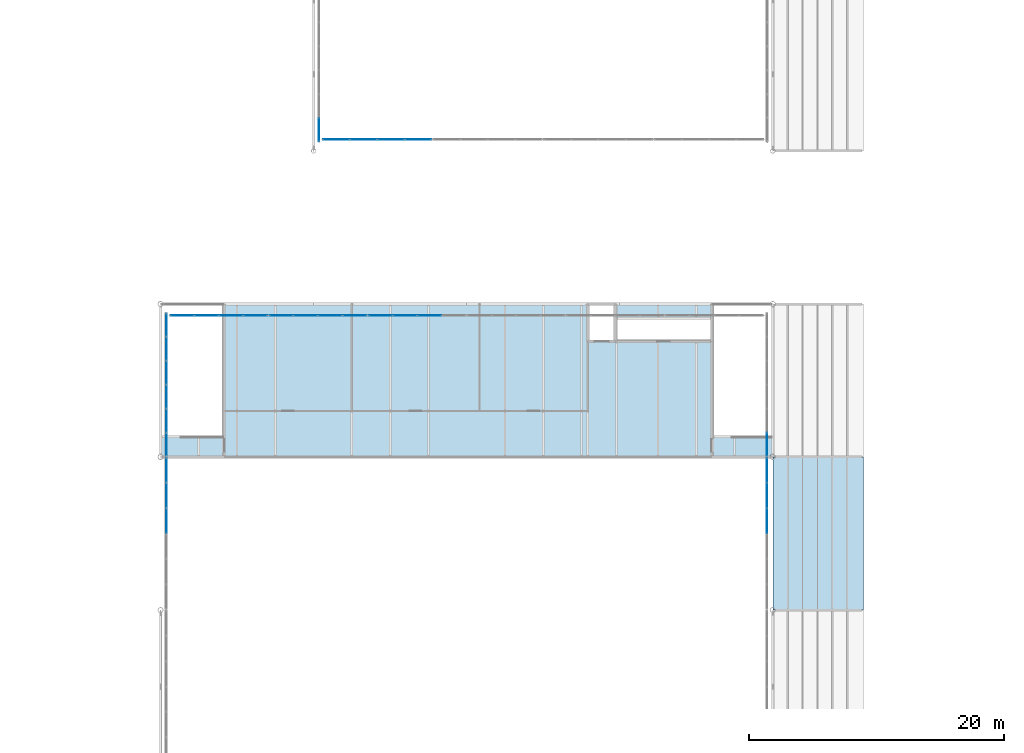
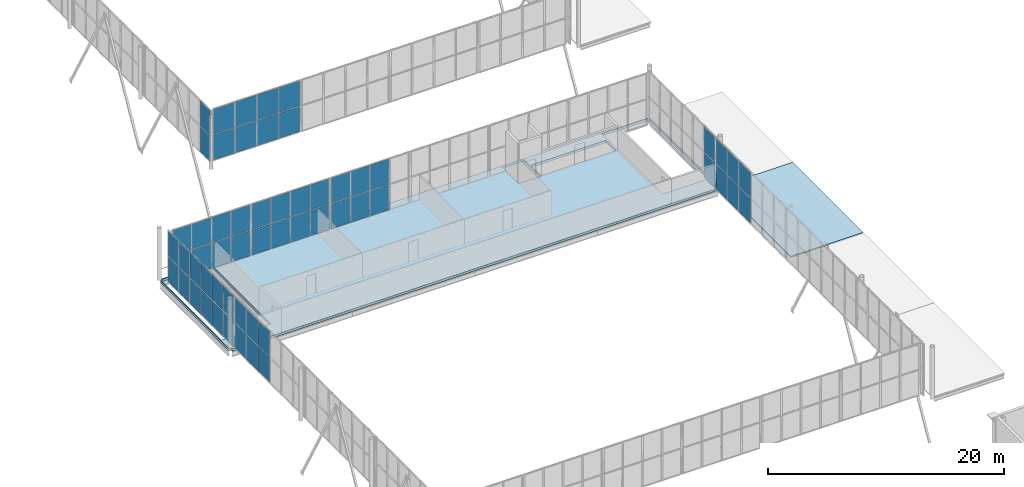
# One storey, part 93 of 170: 58 plates, 2 slabs, 9 elements without a shape of their own.
"""IFC4 building model written with IfcOpenShell, lengths in metres."""

from ifc_helpers import new_model, si_unit, direction, frame, origin, origin_2d, place, context, subcontext, project, spatial, polyline, rectangle, outline, extrude, material, layer, layer_set, type_object, element, aggregate, save


model = new_model("IFC4")

# Units and contexts
model_context = context("Model", 3, precision=1e-05, world=origin(), true_north=direction((0.0, 1.0)))
body_context = subcontext(model_context, "Body", "Model", "MODEL_VIEW")
ifc_project = project(units=[si_unit("LENGTHUNIT", "METRE"), si_unit("AREAUNIT", "SQUARE_METRE"), si_unit("VOLUMEUNIT", "CUBIC_METRE"), si_unit("PLANEANGLEUNIT", "RADIAN"), si_unit("MASSUNIT", "GRAM", prefix="KILO")], contexts=[model_context])

# Site, building, storey
site_placement = place(None, origin())
site = spatial("IfcSite", under=ifc_project, at=site_placement, CompositionType="ELEMENT")
building_placement = place(site_placement, origin())
building = spatial("IfcBuilding", under=site, at=building_placement, Name="Ravi Spectrum Wholesale Market", CompositionType="ELEMENT")
storey_placement = place(building_placement, frame((0.0, 0.0, 5.39990234375)))
storey = spatial("IfcBuildingStorey", under=building, at=storey_placement, Name="L01", CompositionType="ELEMENT", Elevation=5.39990234375)

# Slab
ifc_material_1 = material(Name="Concrete C35/45", Category="concrete")
ifc_layer_1 = layer(ifc_material_1, 0.25)
ifc_layer_set_1 = layer_set([ifc_layer_1], Name="Concrete C35/45")
slab_type_1 = type_object("IfcSlabType", Name="Composite deck slab 250", PredefinedType="FLOOR", material=ifc_layer_set_1)
slab_1_placement = place(storey_placement, frame((0.0, 0.0, -0.25)))
element("IfcSlab", 1, at=slab_1_placement, inside=storey, type_object=slab_type_1, Name="H2-SL-L01-001", PredefinedType="FLOOR", context=body_context, shape_type="SweptSolid", body=[
    extrude(outline(polyline([(150.213134765625, 114.0), (150.212158203125, 114.02099609375), (150.208984375, 114.04150390625), (150.2041015625, 114.061767578125), (150.197021484375, 114.08154296875), (150.18798828125, 114.1005859375), (150.17724609375, 114.118408203125), (150.164794921875, 114.13525390625), (150.150634765625, 114.150634765625), (150.13525390625, 114.164794921875), (150.118408203125, 114.17724609375), (150.1005859375, 114.18798828125), (150.08154296875, 114.197021484375), (150.061767578125, 114.2041015625), (150.04150390625, 114.208984375), (150.02099609375, 114.212158203125), (150.0, 114.213134765625), (150.0, 125.786865234375), (150.02099609375, 125.787841796875), (150.04150390625, 125.791015625), (150.061767578125, 125.7958984375), (150.08154296875, 125.802978515625), (150.10009765625, 125.811767578125), (150.10009765625, 115.610107421875), (154.89990234375, 115.610107421875), (154.89990234375, 125.89990234375), (150.188232421875, 125.89990234375), (150.197021484375, 125.91845703125), (150.2041015625, 125.938232421875), (150.208984375, 125.95849609375), (150.212158203125, 125.97900390625), (150.213134765625, 126.0), (197.786865234375, 126.0), (197.787841796875, 125.97900390625), (197.791015625, 125.95849609375), (197.7958984375, 125.938232421875), (197.802978515625, 125.91845703125), (197.811767578125, 125.89990234375), (193.300048828125, 125.89990234375), (193.300048828125, 115.610107421875), (197.89990234375, 115.610107421875), (197.89990234375, 125.811767578125), (197.91845703125, 125.802978515625), (197.938232421875, 125.7958984375), (197.95849609375, 125.791015625), (197.97900390625, 125.787841796875), (198.0, 125.786865234375), (198.0, 114.213134765625), (197.97900390625, 114.212158203125), (197.95849609375, 114.208984375), (197.938232421875, 114.2041015625), (197.91845703125, 114.197021484375), (197.8994140625, 114.18798828125), (197.881591796875, 114.17724609375), (197.86474609375, 114.164794921875), (197.849365234375, 114.150634765625), (197.835205078125, 114.13525390625), (197.82275390625, 114.118408203125), (197.81201171875, 114.1005859375), (197.802978515625, 114.08154296875), (197.7958984375, 114.061767578125), (197.791015625, 114.04150390625), (197.787841796875, 114.02099609375), (197.786865234375, 114.0), (150.213134765625, 114.0)]), holes=[polyline([(193.10009765625, 124.8701171875), (185.75, 124.8701171875), (185.75, 123.14990234375), (193.10009765625, 123.14990234375), (193.10009765625, 124.8701171875)]), polyline([(185.64990234375, 125.9990234375), (183.5, 125.9990234375), (183.5, 123.050048828125), (185.64990234375, 123.050048828125), (185.64990234375, 125.9990234375)])]), origin(), (0.0, 0.0, 1.0), 0.25),
])

# Curtain wall, plates
ifc_material_2 = material(Name="Aluminium 6063-T6", Category="aluminium")
ifc_layer_2 = layer(ifc_material_2, 0.14990234375)
ifc_layer_set_2 = layer_set([ifc_layer_2], Name="Aluminium 6063-T6")
curtain_wall_type = type_object("IfcCurtainWallType", Name="Curtain wall 150", PredefinedType="NOTDEFINED", material=ifc_layer_set_2)
curtain_wall_1_placement = place(storey_placement, origin())
curtain_wall_1 = element("IfcCurtainWall", 2, at=curtain_wall_1_placement, inside=storey, type_object=curtain_wall_type, Name="H2-CW-L01-003", PredefinedType="NOTDEFINED")
ifc_material_3 = material(Name="Toughened glass", Category="glass")
ifc_layer_3 = layer(ifc_material_3, 0.028076171875)
ifc_layer_set_3 = layer_set([ifc_layer_3], Name="Toughened glass")
plate_type_1 = type_object("IfcPlateType", Name="Glazing panel 28", PredefinedType="CURTAIN_PANEL", material=ifc_layer_set_3)
plate_1_placement = place(storey_placement, frame((150.453125, 108.993408203125, 0.06005859375), z_axis=(0.0, 0.0, 1.0), x_axis=(0.0, 1.0, 0.0)))
plate_1 = element("IfcPlate", 3, at=plate_1_placement, type_object=plate_type_1, Name="H2-CW-L01-003 panel 4.1", PredefinedType="CURTAIN_PANEL", context=body_context, shape_type="SweptSolid", body=[
    extrude(rectangle(XDim=1.9267578125, YDim=0.028076171875, at=origin_2d()), origin(), (0.0, 0.0, 1.0), 2.610107421875),
])
plate_2_placement = place(storey_placement, frame((150.453125, 108.993408203125, 2.72998046875), z_axis=(0.0, 0.0, 1.0), x_axis=(0.0, 1.0, 0.0)))
plate_2 = element("IfcPlate", 4, at=plate_2_placement, type_object=plate_type_1, Name="H2-CW-L01-003 panel 4.2", PredefinedType="CURTAIN_PANEL", context=body_context, shape_type="SweptSolid", body=[
    extrude(rectangle(XDim=1.9267578125, YDim=0.028076171875, at=origin_2d()), origin(), (0.0, 0.0, 1.0), 2.610107421875),
])
plate_3_placement = place(storey_placement, frame((150.453125, 110.97998046875, 0.06005859375), z_axis=(0.0, 0.0, 1.0), x_axis=(0.0, 1.0, 0.0)))
plate_3 = element("IfcPlate", 5, at=plate_3_placement, type_object=plate_type_1, Name="H2-CW-L01-003 panel 5.1", PredefinedType="CURTAIN_PANEL", context=body_context, shape_type="SweptSolid", body=[
    extrude(rectangle(XDim=1.9267578125, YDim=0.028076171875, at=origin_2d()), origin(), (0.0, 0.0, 1.0), 2.610107421875),
])
plate_4_placement = place(storey_placement, frame((150.453125, 110.97998046875, 2.72998046875), z_axis=(0.0, 0.0, 1.0), x_axis=(0.0, 1.0, 0.0)))
plate_4 = element("IfcPlate", 6, at=plate_4_placement, type_object=plate_type_1, Name="H2-CW-L01-003 panel 5.2", PredefinedType="CURTAIN_PANEL", context=body_context, shape_type="SweptSolid", body=[
    extrude(rectangle(XDim=1.9267578125, YDim=0.028076171875, at=origin_2d()), origin(), (0.0, 0.0, 1.0), 2.610107421875),
])
plate_5_placement = place(storey_placement, frame((150.453125, 112.95166015625, 0.06005859375), z_axis=(0.0, 0.0, 1.0), x_axis=(0.0, 1.0, 0.0)))
plate_5 = element("IfcPlate", 7, at=plate_5_placement, type_object=plate_type_1, Name="H2-CW-L01-003 panel 6.1", PredefinedType="CURTAIN_PANEL", context=body_context, shape_type="SweptSolid", body=[
    extrude(rectangle(XDim=1.896728515625, YDim=0.028076171875, at=origin_2d()), origin(), (0.0, 0.0, 1.0), 2.610107421875),
])

curtain_wall_2_placement = place(storey_placement, origin())
curtain_wall_2 = element("IfcCurtainWall", 8, at=curtain_wall_2_placement, inside=storey, type_object=curtain_wall_type, Name="H2-CW-L01-004", PredefinedType="NOTDEFINED")
plate_6_placement = place(storey_placement, frame((150.453125, 114.992431640625, 0.06005859375), z_axis=(0.0, 0.0, 1.0), x_axis=(0.0, 1.0, 0.0)))
plate_6 = element("IfcPlate", 9, at=plate_6_placement, type_object=plate_type_1, Name="H2-CW-L01-004 panel 1.1", PredefinedType="CURTAIN_PANEL", context=body_context, shape_type="SweptSolid", body=[
    extrude(rectangle(XDim=1.784912109375, YDim=0.028076171875, at=origin_2d()), origin(), (0.0, 0.0, 1.0), 2.610107421875),
])
plate_7_placement = place(storey_placement, frame((150.453125, 116.8525390625, 0.06005859375), z_axis=(0.0, 0.0, 1.0), x_axis=(0.0, 1.0, 0.0)))
plate_7 = element("IfcPlate", 10, at=plate_7_placement, type_object=plate_type_1, Name="H2-CW-L01-004 panel 2.1", PredefinedType="CURTAIN_PANEL", context=body_context, shape_type="SweptSolid", body=[
    extrude(rectangle(XDim=1.81494140625, YDim=0.028076171875, at=origin_2d()), origin(), (0.0, 0.0, 1.0), 2.610107421875),
])
plate_8_placement = place(storey_placement, frame((150.453125, 116.8525390625, 2.72998046875), z_axis=(0.0, 0.0, 1.0), x_axis=(0.0, 1.0, 0.0)))
plate_8 = element("IfcPlate", 11, at=plate_8_placement, type_object=plate_type_1, Name="H2-CW-L01-004 panel 2.2", PredefinedType="CURTAIN_PANEL", context=body_context, shape_type="SweptSolid", body=[
    extrude(rectangle(XDim=1.81494140625, YDim=0.028076171875, at=origin_2d()), origin(), (0.0, 0.0, 1.0), 2.610107421875),
])
plate_9_placement = place(storey_placement, frame((150.453125, 118.7275390625, 0.06005859375), z_axis=(0.0, 0.0, 1.0), x_axis=(0.0, 1.0, 0.0)))
plate_9 = element("IfcPlate", 12, at=plate_9_placement, type_object=plate_type_1, Name="H2-CW-L01-004 panel 3.1", PredefinedType="CURTAIN_PANEL", context=body_context, shape_type="SweptSolid", body=[
    extrude(rectangle(XDim=1.81494140625, YDim=0.028076171875, at=origin_2d()), origin(), (0.0, 0.0, 1.0), 2.610107421875),
])
plate_10_placement = place(storey_placement, frame((150.453125, 118.7275390625, 2.72998046875), z_axis=(0.0, 0.0, 1.0), x_axis=(0.0, 1.0, 0.0)))
plate_10 = element("IfcPlate", 13, at=plate_10_placement, type_object=plate_type_1, Name="H2-CW-L01-004 panel 3.2", PredefinedType="CURTAIN_PANEL", context=body_context, shape_type="SweptSolid", body=[
    extrude(rectangle(XDim=1.81494140625, YDim=0.028076171875, at=origin_2d()), origin(), (0.0, 0.0, 1.0), 2.610107421875),
])
plate_11_placement = place(storey_placement, frame((150.453125, 120.6025390625, 0.06005859375), z_axis=(0.0, 0.0, 1.0), x_axis=(0.0, 1.0, 0.0)))
plate_11 = element("IfcPlate", 14, at=plate_11_placement, type_object=plate_type_1, Name="H2-CW-L01-004 panel 4.1", PredefinedType="CURTAIN_PANEL", context=body_context, shape_type="SweptSolid", body=[
    extrude(rectangle(XDim=1.81494140625, YDim=0.028076171875, at=origin_2d()), origin(), (0.0, 0.0, 1.0), 2.610107421875),
])
plate_12_placement = place(storey_placement, frame((150.453125, 120.6025390625, 2.72998046875), z_axis=(0.0, 0.0, 1.0), x_axis=(0.0, 1.0, 0.0)))
plate_12 = element("IfcPlate", 15, at=plate_12_placement, type_object=plate_type_1, Name="H2-CW-L01-004 panel 4.2", PredefinedType="CURTAIN_PANEL", context=body_context, shape_type="SweptSolid", body=[
    extrude(rectangle(XDim=1.81494140625, YDim=0.028076171875, at=origin_2d()), origin(), (0.0, 0.0, 1.0), 2.610107421875),
])
plate_13_placement = place(storey_placement, frame((150.453125, 122.4775390625, 0.06005859375), z_axis=(0.0, 0.0, 1.0), x_axis=(0.0, 1.0, 0.0)))
plate_13 = element("IfcPlate", 16, at=plate_13_placement, type_object=plate_type_1, Name="H2-CW-L01-004 panel 5.1", PredefinedType="CURTAIN_PANEL", context=body_context, shape_type="SweptSolid", body=[
    extrude(rectangle(XDim=1.81494140625, YDim=0.028076171875, at=origin_2d()), origin(), (0.0, 0.0, 1.0), 2.610107421875),
])
plate_14_placement = place(storey_placement, frame((150.453125, 122.4775390625, 2.72998046875), z_axis=(0.0, 0.0, 1.0), x_axis=(0.0, 1.0, 0.0)))
plate_14 = element("IfcPlate", 17, at=plate_14_placement, type_object=plate_type_1, Name="H2-CW-L01-004 panel 5.2", PredefinedType="CURTAIN_PANEL", context=body_context, shape_type="SweptSolid", body=[
    extrude(rectangle(XDim=1.81494140625, YDim=0.028076171875, at=origin_2d()), origin(), (0.0, 0.0, 1.0), 2.610107421875),
])
plate_15_placement = place(storey_placement, frame((150.453125, 124.33740234375, 0.06005859375), z_axis=(0.0, 0.0, 1.0), x_axis=(0.0, 1.0, 0.0)))
plate_15 = element("IfcPlate", 18, at=plate_15_placement, type_object=plate_type_1, Name="H2-CW-L01-004 panel 6.1", PredefinedType="CURTAIN_PANEL", context=body_context, shape_type="SweptSolid", body=[
    extrude(rectangle(XDim=1.784912109375, YDim=0.028076171875, at=origin_2d()), origin(), (0.0, 0.0, 1.0), 2.610107421875),
])
plate_16_placement = place(storey_placement, frame((150.453125, 124.33740234375, 2.72998046875), z_axis=(0.0, 0.0, 1.0), x_axis=(0.0, 1.0, 0.0)))
plate_16 = element("IfcPlate", 19, at=plate_16_placement, type_object=plate_type_1, Name="H2-CW-L01-004 panel 6.2", PredefinedType="CURTAIN_PANEL", context=body_context, shape_type="SweptSolid", body=[
    extrude(rectangle(XDim=1.784912109375, YDim=0.028076171875, at=origin_2d()), origin(), (0.0, 0.0, 1.0), 2.610107421875),
])

curtain_wall_3_placement = place(storey_placement, origin())
curtain_wall_3 = element("IfcCurtainWall", 20, at=curtain_wall_3_placement, inside=storey, type_object=curtain_wall_type, Name="H2-CW-L01-007", PredefinedType="NOTDEFINED")
plate_17_placement = place(storey_placement, frame((197.546875, 108.993408203125, 0.06005859375), z_axis=(0.0, 0.0, 1.0), x_axis=(0.0, 1.0, 0.0)))
plate_17 = element("IfcPlate", 21, at=plate_17_placement, type_object=plate_type_1, Name="H2-CW-L01-007 panel 4.1", PredefinedType="CURTAIN_PANEL", context=body_context, shape_type="SweptSolid", body=[
    extrude(rectangle(XDim=1.9267578125, YDim=0.028076171875, at=origin_2d()), origin(), (0.0, 0.0, 1.0), 2.610107421875),
])
plate_18_placement = place(storey_placement, frame((197.546875, 108.993408203125, 2.72998046875), z_axis=(0.0, 0.0, 1.0), x_axis=(0.0, 1.0, 0.0)))
plate_18 = element("IfcPlate", 22, at=plate_18_placement, type_object=plate_type_1, Name="H2-CW-L01-007 panel 4.2", PredefinedType="CURTAIN_PANEL", context=body_context, shape_type="SweptSolid", body=[
    extrude(rectangle(XDim=1.9267578125, YDim=0.028076171875, at=origin_2d()), origin(), (0.0, 0.0, 1.0), 2.610107421875),
])
plate_19_placement = place(storey_placement, frame((197.546875, 110.97998046875, 0.06005859375), z_axis=(0.0, 0.0, 1.0), x_axis=(0.0, 1.0, 0.0)))
plate_19 = element("IfcPlate", 23, at=plate_19_placement, type_object=plate_type_1, Name="H2-CW-L01-007 panel 5.1", PredefinedType="CURTAIN_PANEL", context=body_context, shape_type="SweptSolid", body=[
    extrude(rectangle(XDim=1.9267578125, YDim=0.028076171875, at=origin_2d()), origin(), (0.0, 0.0, 1.0), 2.610107421875),
])
plate_20_placement = place(storey_placement, frame((197.546875, 110.97998046875, 2.72998046875), z_axis=(0.0, 0.0, 1.0), x_axis=(0.0, 1.0, 0.0)))
plate_20 = element("IfcPlate", 24, at=plate_20_placement, type_object=plate_type_1, Name="H2-CW-L01-007 panel 5.2", PredefinedType="CURTAIN_PANEL", context=body_context, shape_type="SweptSolid", body=[
    extrude(rectangle(XDim=1.9267578125, YDim=0.028076171875, at=origin_2d()), origin(), (0.0, 0.0, 1.0), 2.610107421875),
])
plate_21_placement = place(storey_placement, frame((197.546875, 112.95166015625, 0.06005859375), z_axis=(0.0, 0.0, 1.0), x_axis=(0.0, 1.0, 0.0)))
plate_21 = element("IfcPlate", 25, at=plate_21_placement, type_object=plate_type_1, Name="H2-CW-L01-007 panel 6.1", PredefinedType="CURTAIN_PANEL", context=body_context, shape_type="SweptSolid", body=[
    extrude(rectangle(XDim=1.896728515625, YDim=0.028076171875, at=origin_2d()), origin(), (0.0, 0.0, 1.0), 2.610107421875),
])

# Curtain wall, plate
curtain_wall_4_placement = place(storey_placement, origin())
curtain_wall_4 = element("IfcCurtainWall", 26, at=curtain_wall_4_placement, inside=storey, type_object=curtain_wall_type, Name="H2-CW-L01-008", PredefinedType="NOTDEFINED")
plate_22_placement = place(storey_placement, frame((197.546875, 114.992431640625, 0.06005859375), z_axis=(0.0, 0.0, 1.0), x_axis=(0.0, 1.0, 0.0)))
plate_22 = element("IfcPlate", 27, at=plate_22_placement, type_object=plate_type_1, Name="H2-CW-L01-008 panel 1.1", PredefinedType="CURTAIN_PANEL", context=body_context, shape_type="SweptSolid", body=[
    extrude(rectangle(XDim=1.784912109375, YDim=0.028076171875, at=origin_2d()), origin(), (0.0, 0.0, 1.0), 2.610107421875),
])

# Curtain wall, plates
curtain_wall_5_placement = place(storey_placement, origin())
curtain_wall_5 = element("IfcCurtainWall", 28, at=curtain_wall_5_placement, inside=storey, type_object=curtain_wall_type, Name="H2-CW-L01-015", PredefinedType="NOTDEFINED")
plate_23_placement = place(storey_placement, frame((151.69970703125, 125.10009765625, 0.06005859375), z_axis=(0.0, 0.0, 1.0), x_axis=(1.0, 0.0, 0.0)))
plate_23 = element("IfcPlate", 29, at=plate_23_placement, type_object=plate_type_1, Name="H2-CW-L01-015 panel 1.1", PredefinedType="CURTAIN_PANEL", context=body_context, shape_type="SweptSolid", body=[
    extrude(rectangle(XDim=1.8330078125, YDim=0.028076171875, at=origin_2d()), origin(), (0.0, 0.0, 1.0), 2.610107421875),
])
plate_24_placement = place(storey_placement, frame((151.69970703125, 125.10009765625, 2.72998046875), z_axis=(0.0, 0.0, 1.0), x_axis=(1.0, 0.0, 0.0)))
plate_24 = element("IfcPlate", 30, at=plate_24_placement, type_object=plate_type_1, Name="H2-CW-L01-015 panel 1.2", PredefinedType="CURTAIN_PANEL", context=body_context, shape_type="SweptSolid", body=[
    extrude(rectangle(XDim=1.8330078125, YDim=0.028076171875, at=origin_2d()), origin(), (0.0, 0.0, 1.0), 2.610107421875),
])
plate_25_placement = place(storey_placement, frame((153.60791015625, 125.10009765625, 0.06005859375), z_axis=(0.0, 0.0, 1.0), x_axis=(1.0, 0.0, 0.0)))
plate_25 = element("IfcPlate", 31, at=plate_25_placement, type_object=plate_type_1, Name="H2-CW-L01-015 panel 2.1", PredefinedType="CURTAIN_PANEL", context=body_context, shape_type="SweptSolid", body=[
    extrude(rectangle(XDim=1.863037109375, YDim=0.028076171875, at=origin_2d()), origin(), (0.0, 0.0, 1.0), 2.610107421875),
])
plate_26_placement = place(storey_placement, frame((153.60791015625, 125.10009765625, 2.72998046875), z_axis=(0.0, 0.0, 1.0), x_axis=(1.0, 0.0, 0.0)))
plate_26 = element("IfcPlate", 32, at=plate_26_placement, type_object=plate_type_1, Name="H2-CW-L01-015 panel 2.2", PredefinedType="CURTAIN_PANEL", context=body_context, shape_type="SweptSolid", body=[
    extrude(rectangle(XDim=1.863037109375, YDim=0.028076171875, at=origin_2d()), origin(), (0.0, 0.0, 1.0), 2.610107421875),
])
plate_27_placement = place(storey_placement, frame((155.53076171875, 125.10009765625, 0.06005859375), z_axis=(0.0, 0.0, 1.0), x_axis=(1.0, 0.0, 0.0)))
plate_27 = element("IfcPlate", 33, at=plate_27_placement, type_object=plate_type_1, Name="H2-CW-L01-015 panel 3.1", PredefinedType="CURTAIN_PANEL", context=body_context, shape_type="SweptSolid", body=[
    extrude(rectangle(XDim=1.863037109375, YDim=0.028076171875, at=origin_2d()), origin(), (0.0, 0.0, 1.0), 2.610107421875),
])
plate_28_placement = place(storey_placement, frame((155.53076171875, 125.10009765625, 2.72998046875), z_axis=(0.0, 0.0, 1.0), x_axis=(1.0, 0.0, 0.0)))
plate_28 = element("IfcPlate", 34, at=plate_28_placement, type_object=plate_type_1, Name="H2-CW-L01-015 panel 3.2", PredefinedType="CURTAIN_PANEL", context=body_context, shape_type="SweptSolid", body=[
    extrude(rectangle(XDim=1.863037109375, YDim=0.028076171875, at=origin_2d()), origin(), (0.0, 0.0, 1.0), 2.610107421875),
])
plate_29_placement = place(storey_placement, frame((157.43896484375, 125.10009765625, 0.06005859375), z_axis=(0.0, 0.0, 1.0), x_axis=(1.0, 0.0, 0.0)))
plate_29 = element("IfcPlate", 35, at=plate_29_placement, type_object=plate_type_1, Name="H2-CW-L01-015 panel 4.1", PredefinedType="CURTAIN_PANEL", context=body_context, shape_type="SweptSolid", body=[
    extrude(rectangle(XDim=1.8330078125, YDim=0.028076171875, at=origin_2d()), origin(), (0.0, 0.0, 1.0), 2.610107421875),
])
plate_30_placement = place(storey_placement, frame((157.43896484375, 125.10009765625, 2.72998046875), z_axis=(0.0, 0.0, 1.0), x_axis=(1.0, 0.0, 0.0)))
plate_30 = element("IfcPlate", 36, at=plate_30_placement, type_object=plate_type_1, Name="H2-CW-L01-015 panel 4.2", PredefinedType="CURTAIN_PANEL", context=body_context, shape_type="SweptSolid", body=[
    extrude(rectangle(XDim=1.8330078125, YDim=0.028076171875, at=origin_2d()), origin(), (0.0, 0.0, 1.0), 2.610107421875),
])
aggregate(curtain_wall_5, [plate_23, plate_24, plate_25, plate_26, plate_27, plate_28, plate_29, plate_30])

curtain_wall_6_placement = place(storey_placement, origin())
curtain_wall_6 = element("IfcCurtainWall", 37, at=curtain_wall_6_placement, inside=storey, type_object=curtain_wall_type, Name="H2-CW-L01-016", PredefinedType="NOTDEFINED")
plate_31_placement = place(storey_placement, frame((159.471923828125, 125.10009765625, 0.06005859375), z_axis=(0.0, 0.0, 1.0), x_axis=(1.0, 0.0, 0.0)))
plate_31 = element("IfcPlate", 38, at=plate_31_placement, type_object=plate_type_1, Name="H2-CW-L01-016 panel 1.1", PredefinedType="CURTAIN_PANEL", context=body_context, shape_type="SweptSolid", body=[
    extrude(rectangle(XDim=1.8330078125, YDim=0.028076171875, at=origin_2d()), origin(), (0.0, 0.0, 1.0), 2.610107421875),
])
plate_32_placement = place(storey_placement, frame((159.471923828125, 125.10009765625, 2.72998046875), z_axis=(0.0, 0.0, 1.0), x_axis=(1.0, 0.0, 0.0)))
plate_32 = element("IfcPlate", 39, at=plate_32_placement, type_object=plate_type_1, Name="H2-CW-L01-016 panel 1.2", PredefinedType="CURTAIN_PANEL", context=body_context, shape_type="SweptSolid", body=[
    extrude(rectangle(XDim=1.8330078125, YDim=0.028076171875, at=origin_2d()), origin(), (0.0, 0.0, 1.0), 2.610107421875),
])
plate_33_placement = place(storey_placement, frame((161.380126953125, 125.10009765625, 0.06005859375), z_axis=(0.0, 0.0, 1.0), x_axis=(1.0, 0.0, 0.0)))
plate_33 = element("IfcPlate", 40, at=plate_33_placement, type_object=plate_type_1, Name="H2-CW-L01-016 panel 2.1", PredefinedType="CURTAIN_PANEL", context=body_context, shape_type="SweptSolid", body=[
    extrude(rectangle(XDim=1.863037109375, YDim=0.028076171875, at=origin_2d()), origin(), (0.0, 0.0, 1.0), 2.610107421875),
])
plate_34_placement = place(storey_placement, frame((161.380126953125, 125.10009765625, 2.72998046875), z_axis=(0.0, 0.0, 1.0), x_axis=(1.0, 0.0, 0.0)))
plate_34 = element("IfcPlate", 41, at=plate_34_placement, type_object=plate_type_1, Name="H2-CW-L01-016 panel 2.2", PredefinedType="CURTAIN_PANEL", context=body_context, shape_type="SweptSolid", body=[
    extrude(rectangle(XDim=1.863037109375, YDim=0.028076171875, at=origin_2d()), origin(), (0.0, 0.0, 1.0), 2.610107421875),
])
plate_35_placement = place(storey_placement, frame((163.30322265625, 125.10009765625, 0.06005859375), z_axis=(0.0, 0.0, 1.0), x_axis=(1.0, 0.0, 0.0)))
plate_35 = element("IfcPlate", 42, at=plate_35_placement, type_object=plate_type_1, Name="H2-CW-L01-016 panel 3.1", PredefinedType="CURTAIN_PANEL", context=body_context, shape_type="SweptSolid", body=[
    extrude(rectangle(XDim=1.863037109375, YDim=0.028076171875, at=origin_2d()), origin(), (0.0, 0.0, 1.0), 2.610107421875),
])
plate_36_placement = place(storey_placement, frame((163.30322265625, 125.10009765625, 2.72998046875), z_axis=(0.0, 0.0, 1.0), x_axis=(1.0, 0.0, 0.0)))
plate_36 = element("IfcPlate", 43, at=plate_36_placement, type_object=plate_type_1, Name="H2-CW-L01-016 panel 3.2", PredefinedType="CURTAIN_PANEL", context=body_context, shape_type="SweptSolid", body=[
    extrude(rectangle(XDim=1.863037109375, YDim=0.028076171875, at=origin_2d()), origin(), (0.0, 0.0, 1.0), 2.610107421875),
])
plate_37_placement = place(storey_placement, frame((165.211181640625, 125.10009765625, 0.06005859375), z_axis=(0.0, 0.0, 1.0), x_axis=(1.0, 0.0, 0.0)))
plate_37 = element("IfcPlate", 44, at=plate_37_placement, type_object=plate_type_1, Name="H2-CW-L01-016 panel 4.1", PredefinedType="CURTAIN_PANEL", context=body_context, shape_type="SweptSolid", body=[
    extrude(rectangle(XDim=1.8330078125, YDim=0.028076171875, at=origin_2d()), origin(), (0.0, 0.0, 1.0), 2.610107421875),
])
plate_38_placement = place(storey_placement, frame((165.211181640625, 125.10009765625, 2.72998046875), z_axis=(0.0, 0.0, 1.0), x_axis=(1.0, 0.0, 0.0)))
plate_38 = element("IfcPlate", 45, at=plate_38_placement, type_object=plate_type_1, Name="H2-CW-L01-016 panel 4.2", PredefinedType="CURTAIN_PANEL", context=body_context, shape_type="SweptSolid", body=[
    extrude(rectangle(XDim=1.8330078125, YDim=0.028076171875, at=origin_2d()), origin(), (0.0, 0.0, 1.0), 2.610107421875),
])
aggregate(curtain_wall_6, [plate_31, plate_32, plate_33, plate_34, plate_35, plate_36, plate_37, plate_38])

curtain_wall_7_placement = place(storey_placement, origin())
curtain_wall_7 = element("IfcCurtainWall", 46, at=curtain_wall_7_placement, inside=storey, type_object=curtain_wall_type, Name="H2-CW-L01-017", PredefinedType="NOTDEFINED")
plate_39_placement = place(storey_placement, frame((167.244384765625, 125.10009765625, 0.06005859375), z_axis=(0.0, 0.0, 1.0), x_axis=(1.0, 0.0, 0.0)))
plate_39 = element("IfcPlate", 47, at=plate_39_placement, type_object=plate_type_1, Name="H2-CW-L01-017 panel 1.1", PredefinedType="CURTAIN_PANEL", context=body_context, shape_type="SweptSolid", body=[
    extrude(rectangle(XDim=1.8330078125, YDim=0.028076171875, at=origin_2d()), origin(), (0.0, 0.0, 1.0), 2.610107421875),
])
plate_40_placement = place(storey_placement, frame((167.244384765625, 125.10009765625, 2.72998046875), z_axis=(0.0, 0.0, 1.0), x_axis=(1.0, 0.0, 0.0)))
plate_40 = element("IfcPlate", 48, at=plate_40_placement, type_object=plate_type_1, Name="H2-CW-L01-017 panel 1.2", PredefinedType="CURTAIN_PANEL", context=body_context, shape_type="SweptSolid", body=[
    extrude(rectangle(XDim=1.8330078125, YDim=0.028076171875, at=origin_2d()), origin(), (0.0, 0.0, 1.0), 2.610107421875),
])
plate_41_placement = place(storey_placement, frame((169.15234375, 125.10009765625, 0.06005859375), z_axis=(0.0, 0.0, 1.0), x_axis=(1.0, 0.0, 0.0)))
plate_41 = element("IfcPlate", 49, at=plate_41_placement, type_object=plate_type_1, Name="H2-CW-L01-017 panel 2.1", PredefinedType="CURTAIN_PANEL", context=body_context, shape_type="SweptSolid", body=[
    extrude(rectangle(XDim=1.863037109375, YDim=0.028076171875, at=origin_2d()), origin(), (0.0, 0.0, 1.0), 2.610107421875),
])
plate_42_placement = place(storey_placement, frame((169.15234375, 125.10009765625, 2.72998046875), z_axis=(0.0, 0.0, 1.0), x_axis=(1.0, 0.0, 0.0)))
plate_42 = element("IfcPlate", 50, at=plate_42_placement, type_object=plate_type_1, Name="H2-CW-L01-017 panel 2.2", PredefinedType="CURTAIN_PANEL", context=body_context, shape_type="SweptSolid", body=[
    extrude(rectangle(XDim=1.863037109375, YDim=0.028076171875, at=origin_2d()), origin(), (0.0, 0.0, 1.0), 2.610107421875),
])
plate_43_placement = place(storey_placement, frame((171.075439453125, 125.10009765625, 0.06005859375), z_axis=(0.0, 0.0, 1.0), x_axis=(1.0, 0.0, 0.0)))
plate_43 = element("IfcPlate", 51, at=plate_43_placement, type_object=plate_type_1, Name="H2-CW-L01-017 panel 3.1", PredefinedType="CURTAIN_PANEL", context=body_context, shape_type="SweptSolid", body=[
    extrude(rectangle(XDim=1.863037109375, YDim=0.028076171875, at=origin_2d()), origin(), (0.0, 0.0, 1.0), 2.610107421875),
])
plate_44_placement = place(storey_placement, frame((171.075439453125, 125.10009765625, 2.72998046875), z_axis=(0.0, 0.0, 1.0), x_axis=(1.0, 0.0, 0.0)))
plate_44 = element("IfcPlate", 52, at=plate_44_placement, type_object=plate_type_1, Name="H2-CW-L01-017 panel 3.2", PredefinedType="CURTAIN_PANEL", context=body_context, shape_type="SweptSolid", body=[
    extrude(rectangle(XDim=1.863037109375, YDim=0.028076171875, at=origin_2d()), origin(), (0.0, 0.0, 1.0), 2.610107421875),
])
aggregate(curtain_wall_7, [plate_39, plate_40, plate_41, plate_42, plate_43, plate_44])

curtain_wall_8_placement = place(storey_placement, origin())
curtain_wall_8 = element("IfcCurtainWall", 53, at=curtain_wall_8_placement, inside=storey, type_object=curtain_wall_type, Name="H3-CW-L01-001", PredefinedType="NOTDEFINED")
plate_45_placement = place(storey_placement, frame((162.427734375, 139.66259765625, 0.06005859375), z_axis=(0.0, 0.0, 1.0), x_axis=(0.0, 1.0, 0.0)))
plate_45 = element("IfcPlate", 54, at=plate_45_placement, type_object=plate_type_1, Name="H3-CW-L01-001 panel 1.1", PredefinedType="CURTAIN_PANEL", context=body_context, shape_type="SweptSolid", body=[
    extrude(rectangle(XDim=1.784912109375, YDim=0.028076171875, at=origin_2d()), origin(), (0.0, 0.0, 1.0), 2.610107421875),
])
plate_46_placement = place(storey_placement, frame((162.427734375, 139.66259765625, 2.72998046875), z_axis=(0.0, 0.0, 1.0), x_axis=(0.0, 1.0, 0.0)))
plate_46 = element("IfcPlate", 55, at=plate_46_placement, type_object=plate_type_1, Name="H3-CW-L01-001 panel 1.2", PredefinedType="CURTAIN_PANEL", context=body_context, shape_type="SweptSolid", body=[
    extrude(rectangle(XDim=1.784912109375, YDim=0.028076171875, at=origin_2d()), origin(), (0.0, 0.0, 1.0), 2.610107421875),
])
aggregate(curtain_wall_8, [plate_45, plate_46])

curtain_wall_9_placement = place(storey_placement, origin())
curtain_wall_9 = element("IfcCurtainWall", 56, at=curtain_wall_9_placement, inside=storey, type_object=curtain_wall_type, Name="H3-CW-L01-009", PredefinedType="NOTDEFINED")
plate_47_placement = place(storey_placement, frame((163.78662109375, 138.89990234375, 0.06005859375), z_axis=(0.0, 0.0, 1.0), x_axis=(1.0, 0.0, 0.0)))
plate_47 = element("IfcPlate", 57, at=plate_47_placement, type_object=plate_type_1, Name="H3-CW-L01-009 panel 1.1", PredefinedType="CURTAIN_PANEL", context=body_context, shape_type="SweptSolid", body=[
    extrude(rectangle(XDim=2.057861328125, YDim=0.028076171875, at=origin_2d()), origin(), (0.0, 0.0, 1.0), 2.610107421875),
])
plate_48_placement = place(storey_placement, frame((163.78662109375, 138.89990234375, 2.72998046875), z_axis=(0.0, 0.0, 1.0), x_axis=(1.0, 0.0, 0.0)))
plate_48 = element("IfcPlate", 58, at=plate_48_placement, type_object=plate_type_1, Name="H3-CW-L01-009 panel 1.2", PredefinedType="CURTAIN_PANEL", context=body_context, shape_type="SweptSolid", body=[
    extrude(rectangle(XDim=2.057861328125, YDim=0.028076171875, at=origin_2d()), origin(), (0.0, 0.0, 1.0), 2.610107421875),
])
plate_49_placement = place(storey_placement, frame((165.91943359375, 138.89990234375, 0.06005859375), z_axis=(0.0, 0.0, 1.0), x_axis=(1.0, 0.0, 0.0)))
plate_49 = element("IfcPlate", 59, at=plate_49_placement, type_object=plate_type_1, Name="H3-CW-L01-009 panel 2.1", PredefinedType="CURTAIN_PANEL", context=body_context, shape_type="SweptSolid", body=[
    extrude(rectangle(XDim=2.087890625, YDim=0.028076171875, at=origin_2d()), origin(), (0.0, 0.0, 1.0), 2.610107421875),
])
plate_50_placement = place(storey_placement, frame((165.91943359375, 138.89990234375, 2.72998046875), z_axis=(0.0, 0.0, 1.0), x_axis=(1.0, 0.0, 0.0)))
plate_50 = element("IfcPlate", 60, at=plate_50_placement, type_object=plate_type_1, Name="H3-CW-L01-009 panel 2.2", PredefinedType="CURTAIN_PANEL", context=body_context, shape_type="SweptSolid", body=[
    extrude(rectangle(XDim=2.087890625, YDim=0.028076171875, at=origin_2d()), origin(), (0.0, 0.0, 1.0), 2.610107421875),
])
plate_51_placement = place(storey_placement, frame((168.067138671875, 138.89990234375, 0.06005859375), z_axis=(0.0, 0.0, 1.0), x_axis=(1.0, 0.0, 0.0)))
plate_51 = element("IfcPlate", 61, at=plate_51_placement, type_object=plate_type_1, Name="H3-CW-L01-009 panel 3.1", PredefinedType="CURTAIN_PANEL", context=body_context, shape_type="SweptSolid", body=[
    extrude(rectangle(XDim=2.087890625, YDim=0.028076171875, at=origin_2d()), origin(), (0.0, 0.0, 1.0), 2.610107421875),
])
plate_52_placement = place(storey_placement, frame((168.067138671875, 138.89990234375, 2.72998046875), z_axis=(0.0, 0.0, 1.0), x_axis=(1.0, 0.0, 0.0)))
plate_52 = element("IfcPlate", 62, at=plate_52_placement, type_object=plate_type_1, Name="H3-CW-L01-009 panel 3.2", PredefinedType="CURTAIN_PANEL", context=body_context, shape_type="SweptSolid", body=[
    extrude(rectangle(XDim=2.087890625, YDim=0.028076171875, at=origin_2d()), origin(), (0.0, 0.0, 1.0), 2.610107421875),
])
plate_53_placement = place(storey_placement, frame((170.199951171875, 138.89990234375, 0.06005859375), z_axis=(0.0, 0.0, 1.0), x_axis=(1.0, 0.0, 0.0)))
plate_53 = element("IfcPlate", 63, at=plate_53_placement, type_object=plate_type_1, Name="H3-CW-L01-009 panel 4.1", PredefinedType="CURTAIN_PANEL", context=body_context, shape_type="SweptSolid", body=[
    extrude(rectangle(XDim=2.057861328125, YDim=0.028076171875, at=origin_2d()), origin(), (0.0, 0.0, 1.0), 2.610107421875),
])
plate_54_placement = place(storey_placement, frame((170.199951171875, 138.89990234375, 2.72998046875), z_axis=(0.0, 0.0, 1.0), x_axis=(1.0, 0.0, 0.0)))
plate_54 = element("IfcPlate", 64, at=plate_54_placement, type_object=plate_type_1, Name="H3-CW-L01-009 panel 4.2", PredefinedType="CURTAIN_PANEL", context=body_context, shape_type="SweptSolid", body=[
    extrude(rectangle(XDim=2.057861328125, YDim=0.028076171875, at=origin_2d()), origin(), (0.0, 0.0, 1.0), 2.610107421875),
])
aggregate(curtain_wall_9, [plate_47, plate_48, plate_49, plate_50, plate_51, plate_52, plate_53, plate_54])

# Plate
ifc_material_4 = material(Name="Insulated panel")
ifc_layer_4 = layer(ifc_material_4, 0.028076171875)
ifc_layer_set_4 = layer_set([ifc_layer_4], Name="Insulated panel")
plate_type_2 = type_object("IfcPlateType", Name="Opaque insulated panel 28", PredefinedType="CURTAIN_PANEL", material=ifc_layer_set_4)
plate_55_placement = place(storey_placement, frame((150.453125, 112.95166015625, 2.72998046875), z_axis=(0.0, 0.0, 1.0), x_axis=(0.0, 1.0, 0.0)))
plate_55 = element("IfcPlate", 65, at=plate_55_placement, type_object=plate_type_2, Name="H2-CW-L01-003 panel 6.2", PredefinedType="CURTAIN_PANEL", context=body_context, shape_type="SweptSolid", body=[
    extrude(rectangle(XDim=1.896728515625, YDim=0.028076171875, at=origin_2d()), origin(), (0.0, 0.0, 1.0), 2.610107421875),
])

aggregate(curtain_wall_1, [plate_1, plate_2, plate_3, plate_4, plate_5, plate_55])

plate_56_placement = place(storey_placement, frame((150.453125, 114.992431640625, 2.72998046875), z_axis=(0.0, 0.0, 1.0), x_axis=(0.0, 1.0, 0.0)))
plate_56 = element("IfcPlate", 66, at=plate_56_placement, type_object=plate_type_2, Name="H2-CW-L01-004 panel 1.2", PredefinedType="CURTAIN_PANEL", context=body_context, shape_type="SweptSolid", body=[
    extrude(rectangle(XDim=1.784912109375, YDim=0.028076171875, at=origin_2d()), origin(), (0.0, 0.0, 1.0), 2.610107421875),
])

aggregate(curtain_wall_2, [plate_6, plate_56, plate_7, plate_8, plate_9, plate_10, plate_11, plate_12, plate_13, plate_14, plate_15, plate_16])

plate_57_placement = place(storey_placement, frame((197.546875, 112.95166015625, 2.72998046875), z_axis=(0.0, 0.0, 1.0), x_axis=(0.0, 1.0, 0.0)))
plate_57 = element("IfcPlate", 67, at=plate_57_placement, type_object=plate_type_2, Name="H2-CW-L01-007 panel 6.2", PredefinedType="CURTAIN_PANEL", context=body_context, shape_type="SweptSolid", body=[
    extrude(rectangle(XDim=1.896728515625, YDim=0.028076171875, at=origin_2d()), origin(), (0.0, 0.0, 1.0), 2.610107421875),
])

aggregate(curtain_wall_3, [plate_17, plate_18, plate_19, plate_20, plate_21, plate_57])

plate_58_placement = place(storey_placement, frame((197.546875, 114.992431640625, 2.72998046875), z_axis=(0.0, 0.0, 1.0), x_axis=(0.0, 1.0, 0.0)))
plate_58 = element("IfcPlate", 68, at=plate_58_placement, type_object=plate_type_2, Name="H2-CW-L01-008 panel 1.2", PredefinedType="CURTAIN_PANEL", context=body_context, shape_type="SweptSolid", body=[
    extrude(rectangle(XDim=1.784912109375, YDim=0.028076171875, at=origin_2d()), origin(), (0.0, 0.0, 1.0), 2.610107421875),
])

aggregate(curtain_wall_4, [plate_22, plate_58])

# Slab
ifc_material_5 = material(Name="Steel S355", Category="steel")
ifc_layer_5 = layer(ifc_material_5, 0.1201171875)
ifc_layer_set_5 = layer_set([ifc_layer_5], Name="Steel S355")
slab_type_2 = type_object("IfcSlabType", Name="Roof deck 120", PredefinedType="ROOF", material=ifc_layer_set_5)
slab_2_placement = place(storey_placement, origin())
element("IfcSlab", 69, at=slab_2_placement, inside=storey, type_object=slab_type_2, Name="H2-SL-L01-004", PredefinedType="ROOF", context=body_context, shape_type="SweptSolid", body=[
    extrude(outline(polyline([(198.0, 102.0), (205.109619140625, 102.0), (205.109619140625, 114.0), (198.0, 114.0), (198.0, 102.0)])), origin(), (0.0, 0.0, 1.0), 0.1201171875),
])

save(model, "model.ifc")
